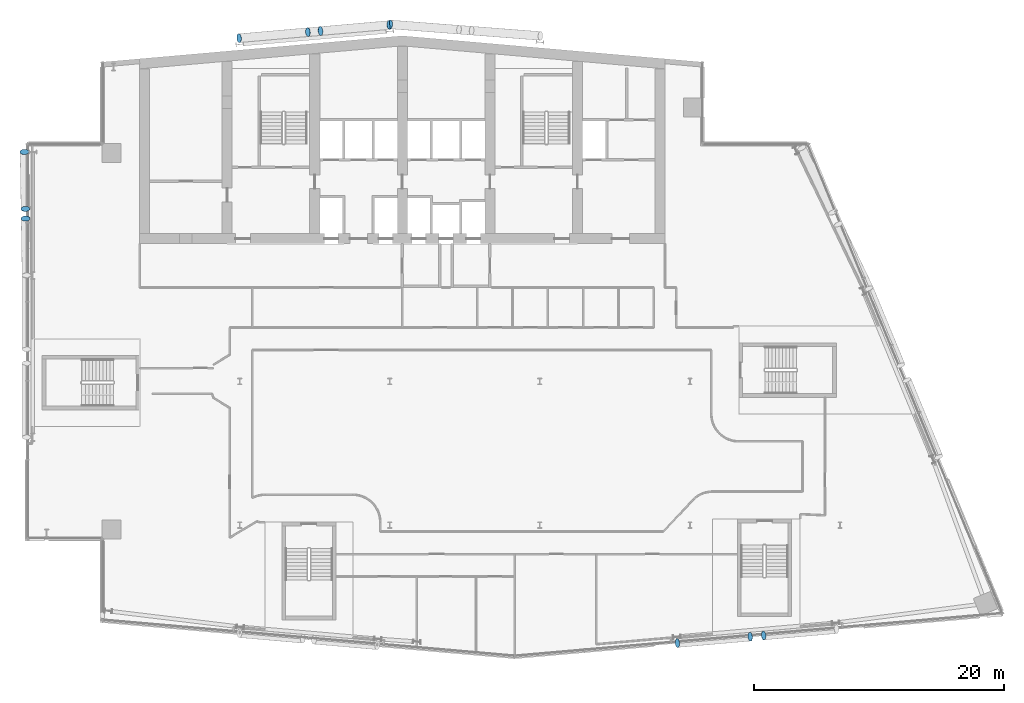
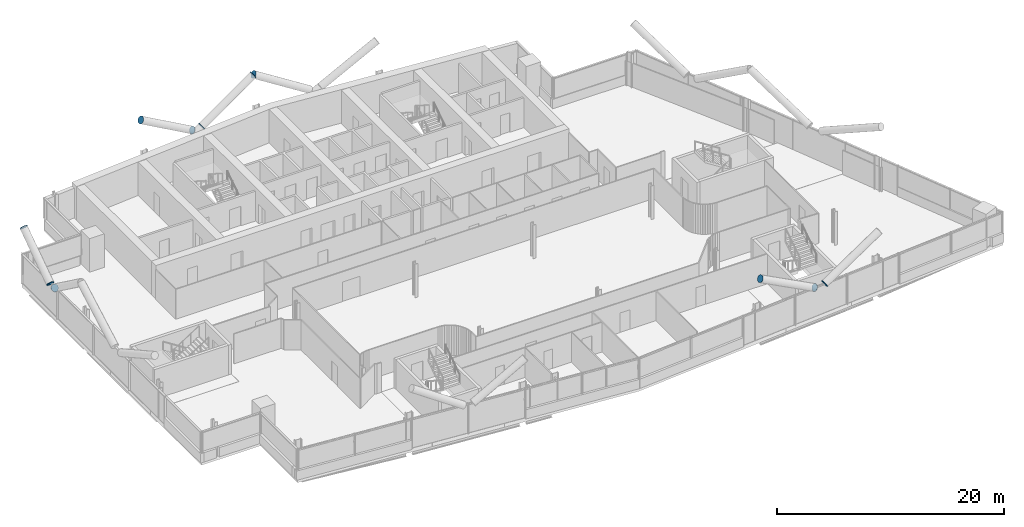
# One storey, part 22 of 27: 11 discrete accessories.
"""IFC4 building model written with IfcOpenShell, lengths in metres."""

from ifc_helpers import new_model, si_unit, direction, frame, origin, origin_2d, place, context, subcontext, project, spatial, circle, extrude, material, material_profile, profile_set, type_object, element, save


model = new_model("IFC4")

# Units and contexts
model_context = context("Model", 3, precision=1e-05, world=origin(), true_north=direction((0.0, 1.0)))
body_context = subcontext(model_context, "Body", "Model", "MODEL_VIEW")
ifc_project = project(units=[si_unit("LENGTHUNIT", "METRE"), si_unit("AREAUNIT", "SQUARE_METRE"), si_unit("VOLUMEUNIT", "CUBIC_METRE"), si_unit("PLANEANGLEUNIT", "RADIAN"), si_unit("MASSUNIT", "GRAM", prefix="KILO")], contexts=[model_context])

# Site, building, storey
site_placement = place(None, origin())
site = spatial("IfcSite", under=ifc_project, at=site_placement, CompositionType="ELEMENT")
building_placement = place(site_placement, origin())
building = spatial("IfcBuilding", under=site, at=building_placement, Name="Wharfspan Tower", CompositionType="ELEMENT")
storey_placement = place(building_placement, frame((0.0, 0.0, 159.100098)))
storey = spatial("IfcBuildingStorey", under=building, at=storey_placement, Name="L38", CompositionType="ELEMENT", Elevation=159.100098)

# Discrete accessories
ifc_material = material(Name="Steel S460NH", Category="steel")
ifc_material_profile = material_profile(ifc_material, circle(Radius=0.355469, at=origin_2d()))
ifc_profile_set = profile_set([ifc_material_profile], Name="Steel S460NH")
discrete_accessory_type = type_object("IfcDiscreteAccessoryType", Name="End plate CHS 711x36", PredefinedType="BRACKET", material=ifc_profile_set)
for number, where, z_axis, x_axis, name in (
    (1, (65.88916, 2.672852, 3.202637), (0.871847, 0.072654, 0.484359), (-0.083044, 0.996547, -3e-06), "End plate CHS 711x36"),
    (2, (64.821533, 2.579346, 3.202637), (-0.871847, -0.072654, 0.484359), (0.083044, -0.996547, -3e-06), "End plate CHS 711x36"),
    (3, (59.004883, 2.070557, 6.5), (-0.871847, -0.072654, 0.484359), (0.083044, -0.996547, -3e-06), "End plate CHS 711x36"),
    (4, (6.872559, 36.01709, 3.179199), (0.0245, -0.808493, 0.587995), (0.999537, 0.03029, 1e-06), "End plate CHS 711x36"),
):
    element("IfcDiscreteAccessory", number, at=place(storey_placement, frame(where, z_axis=z_axis, x_axis=x_axis)), inside=storey, type_object=discrete_accessory_type, Name=name, PredefinedType="BRACKET", context=body_context, shape_type="SweptSolid", body=[
        extrude(circle(Radius=0.355469, at=origin_2d()), origin(), (0.0, 0.0, 1.0), 0.01001),
    ])
discrete_accessory_placement = place(storey_placement, frame((6.860352, 36.782471, 3.179199), z_axis=(0.0, 0.816968, 0.576683), x_axis=(-1.0, 0.0, 0.0)))
element("IfcDiscreteAccessory", 5, at=discrete_accessory_placement, inside=storey, type_object=discrete_accessory_type, Name="End plate CHS 711x36", PredefinedType="BRACKET", context=body_context, shape_type="SweptSolid", body=[
    extrude(circle(Radius=0.355469, at=origin_2d()), origin(), (0.0, 0.0, 1.0), 0.010254),
])
for number, where, z_axis, x_axis, name in (
    (6, (6.788086, 41.333008, 6.5), (-0.0245, 0.808493, 0.587995), (-0.999537, -0.03029, 1e-06), "End plate CHS 711x36"),
    (7, (30.452881, 51.006348, 3.197998), (0.855186, 0.073302, 0.513112), (-0.085402, 0.996345, 1e-06), "End plate CHS 711x36"),
    (8, (35.956299, 51.487793, 6.5), (0.855186, 0.073302, 0.513112), (-0.085402, 0.996345, 1e-06), "End plate CHS 711x36"),
    (9, (29.459473, 50.919434, 3.197998), (-0.855186, -0.073302, 0.513112), (0.085402, -0.996345, 1e-06), "End plate CHS 711x36"),
    (10, (23.956299, 50.437988, 6.5), (-0.855186, -0.073302, 0.513112), (0.085402, -0.996345, 1e-06), "End plate CHS 711x36"),
    (11, (36.039795, 51.53418, 6.5), (-0.856465, 0.048941, 0.513879), (-0.05705, -0.998372, 0.0), "End plate CHS 711x36"),
):
    element("IfcDiscreteAccessory", number, at=place(storey_placement, frame(where, z_axis=z_axis, x_axis=x_axis)), inside=storey, type_object=discrete_accessory_type, Name=name, PredefinedType="BRACKET", context=body_context, shape_type="SweptSolid", body=[
        extrude(circle(Radius=0.355469, at=origin_2d()), origin(), (0.0, 0.0, 1.0), 0.01001),
    ])

save(model, "model.ifc")
